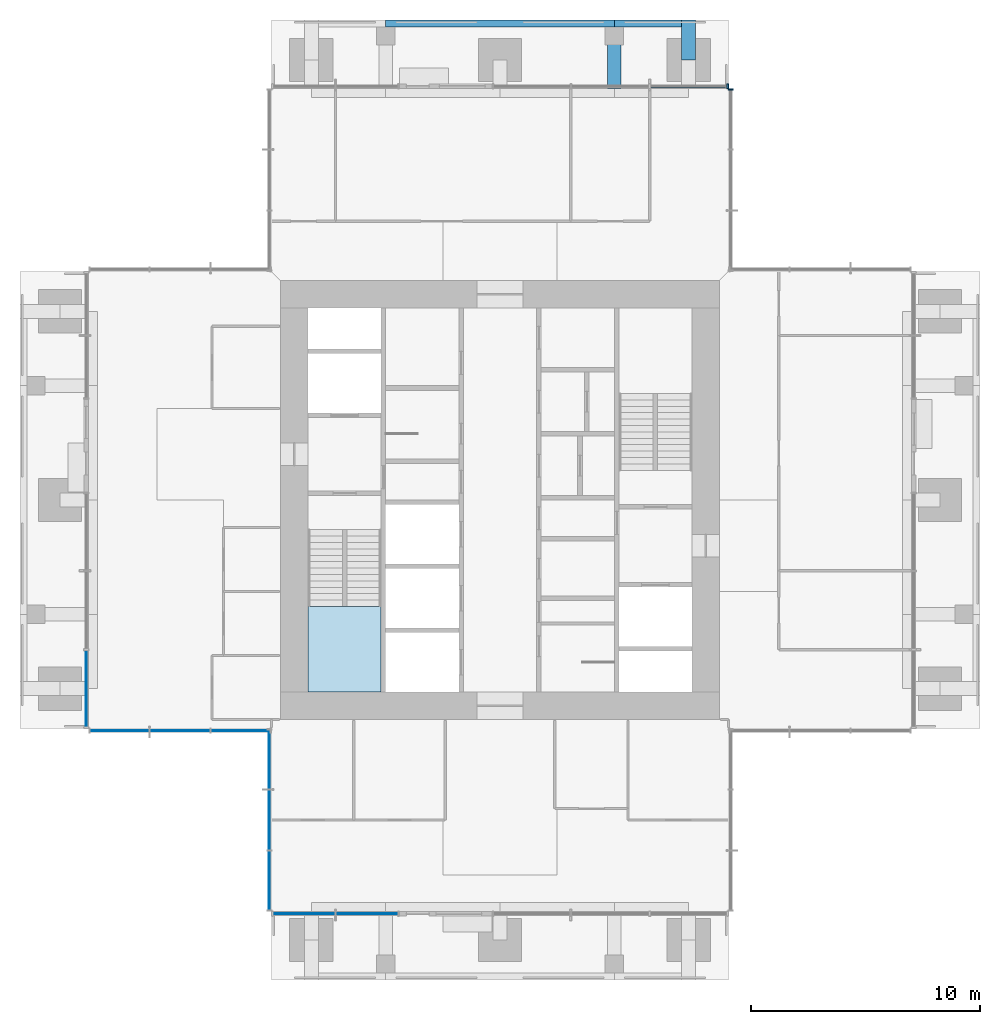
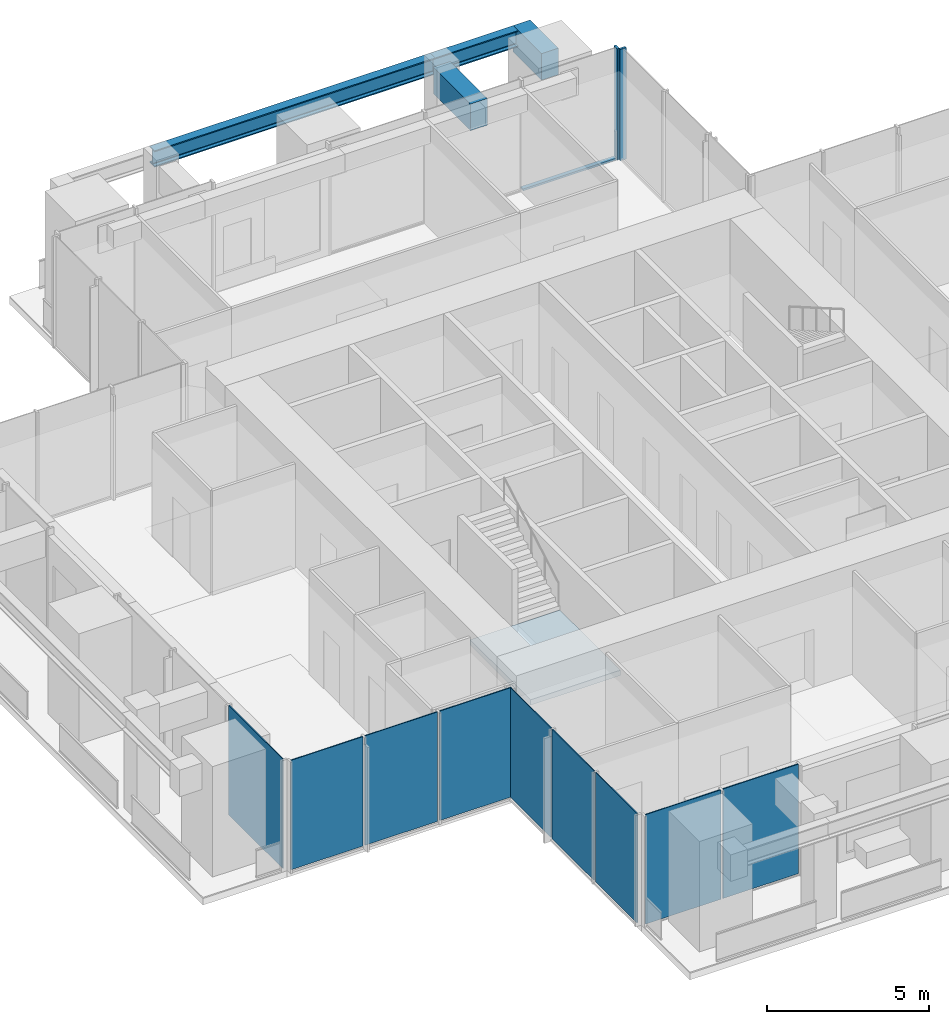
# One storey, part 5 of 12: 9 plates, 4 beams, 3 members, 1 slab, 7 elements without a shape of their own.
"""IFC4 building model written with IfcOpenShell, lengths in metres."""

from ifc_helpers import new_model, si_unit, direction, frame, origin, origin_2d, place, context, subcontext, project, spatial, polyline, rectangle, i_section, outline, extrude, material, layer, layer_set, material_profile, profile_set, type_object, element, aggregate, save


model = new_model("IFC4")

# Units and contexts
model_context = context("Model", 3, precision=1e-05, world=origin(), true_north=direction((0.0, 1.0)))
body_context = subcontext(model_context, "Body", "Model", "MODEL_VIEW")
ifc_project = project(units=[si_unit("LENGTHUNIT", "METRE"), si_unit("AREAUNIT", "SQUARE_METRE"), si_unit("VOLUMEUNIT", "CUBIC_METRE"), si_unit("PLANEANGLEUNIT", "RADIAN"), si_unit("MASSUNIT", "GRAM", prefix="KILO")], contexts=[model_context])

# Site, building, storey
site_placement = place(None, origin())
site = spatial("IfcSite", under=ifc_project, at=site_placement, CompositionType="ELEMENT")
building_placement = place(site_placement, origin())
building = spatial("IfcBuilding", under=site, at=building_placement, Name="Svetlomir Tower", CompositionType="ELEMENT")
storey_placement = place(building_placement, frame((0.0, 0.0, 256.60009765625)))
storey = spatial("IfcBuildingStorey", under=building, at=storey_placement, Name="L61", CompositionType="ELEMENT", Elevation=256.60009765625)

# Curtain wall, member
ifc_material_1 = material(Name="Bronze anodised aluminium curtain wall", Category="aluminium")
curtain_wall_type = type_object("IfcCurtainWallType", Name="CURTAIN WALL CW4 EXECUTIVE", PredefinedType="NOTDEFINED", material=ifc_material_1)
curtain_wall_1_placement = place(storey_placement, origin())
curtain_wall_1 = element("IfcCurtainWall", 1, at=curtain_wall_1_placement, inside=storey, type_object=curtain_wall_type, Name="Curtain wall CW4 L61", PredefinedType="NOTDEFINED")
ifc_material_2 = material(Name="Bronze anodised aluminium", Category="aluminium")
ifc_material_profile_1 = material_profile(ifc_material_2, rectangle(XDim=0.074951171875, YDim=0.219970703125, at=origin_2d()), Name="AL 75x220")
ifc_profile_set_1 = profile_set([ifc_material_profile_1], Name="Bronze anodised aluminium 6063-T6")
member_type_1 = type_object("IfcMemberType", Name="CW4 MULLION 75x220", PredefinedType="MULLION", material=ifc_profile_set_1)
member_1_placement = place(storey_placement, frame((31.10009765625, 38.96240234375, 0.0), z_axis=(0.0, 0.0, 1.0), x_axis=(0.0, 1.0, 0.0)))
member_1 = element("IfcMember", 2, at=member_1_placement, type_object=member_type_1, Name="CW4 mullion 4", PredefinedType="MULLION", context=body_context, shape_type="SweptSolid", body=[
    extrude(rectangle(XDim=0.074951171875, YDim=0.219970703125, at=origin_2d()), origin(), (0.0, 0.0, 1.0), 4.199951171875),
])
aggregate(curtain_wall_1, [member_1])

# Curtain wall, members
curtain_wall_2_placement = place(storey_placement, origin())
curtain_wall_2 = element("IfcCurtainWall", 3, at=curtain_wall_2_placement, inside=storey, type_object=curtain_wall_type, Name="Curtain wall CW4 L61", PredefinedType="NOTDEFINED")
member_2_placement = place(storey_placement, frame((30.96240234375, 39.10009765625, 0.0), z_axis=(0.0, 0.0, 1.0), x_axis=(-1.0, 0.0, 0.0)))
member_2 = element("IfcMember", 4, at=member_2_placement, type_object=member_type_1, Name="CW4 mullion 1", PredefinedType="MULLION", context=body_context, shape_type="SweptSolid", body=[
    extrude(rectangle(XDim=0.074951171875, YDim=0.219970703125, at=origin_2d()), origin(), (0.0, 0.0, 1.0), 4.199951171875),
])
ifc_material_3 = material(Name="Bronze anodised aluminium", Category="aluminium")
ifc_material_profile_2 = material_profile(ifc_material_3, rectangle(XDim=0.14990234375, YDim=0.074951171875, at=origin_2d()), Name="AL 150x75")
ifc_profile_set_2 = profile_set([ifc_material_profile_2], Name="Bronze anodised aluminium 6063-T6")
member_type_2 = type_object("IfcMemberType", Name="CW4 TRANSOM 75x150", PredefinedType="USERDEFINED", material=ifc_profile_set_2)
member_3_placement = place(storey_placement, frame((30.925048828125, 39.10009765625, 0.037353515625), z_axis=(-1.0, 0.0, 0.0), x_axis=(0.0, -1.0, 0.0)))
member_3 = element("IfcMember", 5, at=member_3_placement, type_object=member_type_2, Name="CW4 transom 1.1", ObjectType="TRANSOM", PredefinedType="USERDEFINED", context=body_context, shape_type="SweptSolid", body=[
    extrude(rectangle(XDim=0.14990234375, YDim=0.074951171875, at=origin_2d()), origin(), (0.0, 0.0, 1.0), 3.337646484375),
])
aggregate(curtain_wall_2, [member_2, member_3])

# Beams
ifc_material_4 = material(Name="Steel S355", Category="steel")
ifc_material_profile_3 = material_profile(ifc_material_4, i_section(OverallWidth=0.304931640625, OverallDepth=0.6201171875, WebThickness=0.02099609375, FlangeThickness=0.0400390625, FilletRadius=0.027099609375, at=origin_2d()), Name="HEM 600")
ifc_profile_set_3 = profile_set([ifc_material_profile_3], Name="Steel S355")
beam_type_1 = type_object("IfcBeamType", Name="EDGE BEAM HEM 600", PredefinedType="SPANDREL", material=ifc_profile_set_3)
beam_1_placement = place(storey_placement, frame((16.0, 41.847412109375, 3.639892578125), z_axis=(1.0, 0.0, 0.0), x_axis=(0.0, 1.0, 0.0)))
element("IfcBeam", 6, at=beam_1_placement, inside=storey, type_object=beam_type_1, Name="Edge beam 16/42 to 26/42 under L62", PredefinedType="SPANDREL", context=body_context, shape_type="SweptSolid", body=[
    extrude(i_section(OverallWidth=0.304931640625, OverallDepth=0.6201171875, WebThickness=0.02099609375, FlangeThickness=0.0400390625, FilletRadius=0.027099609375, at=origin_2d()), origin(), (0.0, 0.0, 1.0), 10.0),
])
beam_2_placement = place(storey_placement, frame((26.0, 41.847412109375, 3.639892578125), z_axis=(1.0, 0.0, 0.0), x_axis=(0.0, 1.0, 0.0)))
element("IfcBeam", 7, at=beam_2_placement, inside=storey, type_object=beam_type_1, Name="Edge beam 26/42 to 31/42 under L62", PredefinedType="SPANDREL", context=body_context, shape_type="SweptSolid", body=[
    extrude(i_section(OverallWidth=0.304931640625, OverallDepth=0.6201171875, WebThickness=0.02099609375, FlangeThickness=0.0400390625, FilletRadius=0.027099609375, at=origin_2d()), origin(), (0.0, 0.0, 1.0), 2.949951171875),
])
ifc_material_5 = material(Name="Concrete C60/75", Category="concrete")
ifc_material_profile_4 = material_profile(ifc_material_5, rectangle(XDim=0.60009765625, YDim=1.0, at=origin_2d()), Name="RC 600x1000")
ifc_profile_set_4 = profile_set([ifc_material_profile_4], Name="Concrete C60/75")
beam_type_2 = type_object("IfcBeamType", Name="EDGE LINK BEAM RC 600x1000", PredefinedType="BEAM", material=ifc_profile_set_4)
beam_3_placement = place(storey_placement, frame((29.25, 40.25, 3.449951171875), z_axis=(0.0, 1.0, 0.0), x_axis=(-1.0, 0.0, 0.0)))
element("IfcBeam", 8, at=beam_3_placement, inside=storey, type_object=beam_type_2, Name="Edge link beam N 31/42 under L62", PredefinedType="BEAM", context=body_context, shape_type="SweptSolid", body=[
    extrude(rectangle(XDim=0.60009765625, YDim=1.0, at=origin_2d()), origin(), (0.0, 0.0, 1.0), 1.75),
])
ifc_material_6 = material(Name="Concrete C60/75", Category="concrete")
ifc_material_profile_5 = material_profile(ifc_material_6, rectangle(XDim=0.60009765625, YDim=1.0, at=origin_2d()), Name="RC 600x1000")
ifc_profile_set_5 = profile_set([ifc_material_profile_5], Name="Concrete C60/75")
beam_type_3 = type_object("IfcBeamType", Name="LOGGIA LINK BEAM RC 600x1000", PredefinedType="BEAM", material=ifc_profile_set_5)
beam_4_placement = place(storey_placement, frame((26.0, 41.300048828125, 3.449951171875), z_axis=(0.0, -1.0, 0.0), x_axis=(1.0, 0.0, 0.0)))
element("IfcBeam", 9, at=beam_4_placement, inside=storey, type_object=beam_type_3, Name="Loggia link beam N 26 under L62", PredefinedType="BEAM", context=body_context, shape_type="SweptSolid", body=[
    extrude(rectangle(XDim=0.60009765625, YDim=1.0, at=origin_2d()), origin(), (0.0, 0.0, 1.0), 2.300048828125),
])

# Curtain wall, plates
curtain_wall_3_placement = place(storey_placement, origin())
curtain_wall_3 = element("IfcCurtainWall", 10, at=curtain_wall_3_placement, inside=storey, type_object=curtain_wall_type, Name="Curtain wall CW4 L61", PredefinedType="NOTDEFINED")
ifc_material_7 = material(Name="Tinted double glazed unit", Category="glass")
ifc_layer_1 = layer(ifc_material_7, 0.035888671875)
ifc_layer_set_1 = layer_set([ifc_layer_1], Name="Tinted double glazed unit")
plate_type = type_object("IfcPlateType", Name="CW4 GLAZED PANEL 36", PredefinedType="CURTAIN_PANEL", material=ifc_layer_set_1)
plate_1_placement = place(storey_placement, frame((12.418701171875, 2.89990234375, 0.074951171875), z_axis=(0.0, 0.0, 1.0), x_axis=(1.0, 0.0, 0.0)))
plate_1 = element("IfcPlate", 11, at=plate_1_placement, type_object=plate_type, Name="CW4 panel 1.1", PredefinedType="CURTAIN_PANEL", context=body_context, shape_type="SweptSolid", body=[
    extrude(rectangle(XDim=2.6875, YDim=0.035888671875, at=origin_2d()), origin(), (0.0, 0.0, 1.0), 4.125),
])
plate_2_placement = place(storey_placement, frame((15.18115234375, 2.89990234375, 0.074951171875), z_axis=(0.0, 0.0, 1.0), x_axis=(1.0, 0.0, 0.0)))
plate_2 = element("IfcPlate", 12, at=plate_2_placement, type_object=plate_type, Name="CW4 panel 2.1", PredefinedType="CURTAIN_PANEL", context=body_context, shape_type="SweptSolid", body=[
    extrude(rectangle(XDim=2.6875, YDim=0.035888671875, at=origin_2d()), origin(), (0.0, 0.0, 1.0), 4.125),
])
aggregate(curtain_wall_3, [plate_1, plate_2])

# Curtain wall, plate
curtain_wall_4_placement = place(storey_placement, origin())
curtain_wall_4 = element("IfcCurtainWall", 13, at=curtain_wall_4_placement, inside=storey, type_object=curtain_wall_type, Name="Curtain wall CW4 L61", PredefinedType="NOTDEFINED")
plate_3_placement = place(storey_placement, frame((2.89990234375, 12.74365234375, 0.074951171875), z_axis=(0.0, 0.0, 1.0), x_axis=(0.0, -1.0, 0.0)))
plate_3 = element("IfcPlate", 14, at=plate_3_placement, type_object=plate_type, Name="CW4 panel 3.1", PredefinedType="CURTAIN_PANEL", context=body_context, shape_type="SweptSolid", body=[
    extrude(rectangle(XDim=3.33740234375, YDim=0.035888671875, at=origin_2d()), origin(), (0.0, 0.0, 1.0), 4.125),
])
aggregate(curtain_wall_4, [plate_3])

# Curtain wall, plates
curtain_wall_5_placement = place(storey_placement, origin())
curtain_wall_5 = element("IfcCurtainWall", 15, at=curtain_wall_5_placement, inside=storey, type_object=curtain_wall_type, Name="Curtain wall CW4 L61", PredefinedType="NOTDEFINED")
plate_4_placement = place(storey_placement, frame((4.35205078125, 10.89990234375, 0.074951171875), z_axis=(0.0, 0.0, 1.0), x_axis=(1.0, 0.0, 0.0)))
plate_4 = element("IfcPlate", 16, at=plate_4_placement, type_object=plate_type, Name="CW4 panel 1.1", PredefinedType="CURTAIN_PANEL", context=body_context, shape_type="SweptSolid", body=[
    extrude(rectangle(XDim=2.55419921875, YDim=0.035888671875, at=origin_2d()), origin(), (0.0, 0.0, 1.0), 4.125),
])
plate_5_placement = place(storey_placement, frame((7.0, 10.89990234375, 0.074951171875), z_axis=(0.0, 0.0, 1.0), x_axis=(1.0, 0.0, 0.0)))
plate_5 = element("IfcPlate", 17, at=plate_5_placement, type_object=plate_type, Name="CW4 panel 2.1", PredefinedType="CURTAIN_PANEL", context=body_context, shape_type="SweptSolid", body=[
    extrude(rectangle(XDim=2.591552734375, YDim=0.035888671875, at=origin_2d()), origin(), (0.0, 0.0, 1.0), 4.125),
])
plate_6_placement = place(storey_placement, frame((9.64794921875, 10.89990234375, 0.074951171875), z_axis=(0.0, 0.0, 1.0), x_axis=(1.0, 0.0, 0.0)))
plate_6 = element("IfcPlate", 18, at=plate_6_placement, type_object=plate_type, Name="CW4 panel 3.1", PredefinedType="CURTAIN_PANEL", context=body_context, shape_type="SweptSolid", body=[
    extrude(rectangle(XDim=2.55419921875, YDim=0.035888671875, at=origin_2d()), origin(), (0.0, 0.0, 1.0), 4.125),
])
aggregate(curtain_wall_5, [plate_4, plate_5, plate_6])

curtain_wall_6_placement = place(storey_placement, origin())
curtain_wall_6 = element("IfcCurtainWall", 19, at=curtain_wall_6_placement, inside=storey, type_object=curtain_wall_type, Name="Curtain wall CW4 L61", PredefinedType="NOTDEFINED")
plate_7_placement = place(storey_placement, frame((10.89990234375, 9.64794921875, 0.074951171875), z_axis=(0.0, 0.0, 1.0), x_axis=(0.0, -1.0, 0.0)))
plate_7 = element("IfcPlate", 20, at=plate_7_placement, type_object=plate_type, Name="CW4 panel 1.1", PredefinedType="CURTAIN_PANEL", context=body_context, shape_type="SweptSolid", body=[
    extrude(rectangle(XDim=2.55419921875, YDim=0.035888671875, at=origin_2d()), origin(), (0.0, 0.0, 1.0), 4.125),
])
plate_8_placement = place(storey_placement, frame((10.89990234375, 7.0, 0.074951171875), z_axis=(0.0, 0.0, 1.0), x_axis=(0.0, -1.0, 0.0)))
plate_8 = element("IfcPlate", 21, at=plate_8_placement, type_object=plate_type, Name="CW4 panel 2.1", PredefinedType="CURTAIN_PANEL", context=body_context, shape_type="SweptSolid", body=[
    extrude(rectangle(XDim=2.591552734375, YDim=0.035888671875, at=origin_2d()), origin(), (0.0, 0.0, 1.0), 4.125),
])
plate_9_placement = place(storey_placement, frame((10.89990234375, 4.35205078125, 0.074951171875), z_axis=(0.0, 0.0, 1.0), x_axis=(0.0, -1.0, 0.0)))
plate_9 = element("IfcPlate", 22, at=plate_9_placement, type_object=plate_type, Name="CW4 panel 3.1", PredefinedType="CURTAIN_PANEL", context=body_context, shape_type="SweptSolid", body=[
    extrude(rectangle(XDim=2.55419921875, YDim=0.035888671875, at=origin_2d()), origin(), (0.0, 0.0, 1.0), 4.125),
])
aggregate(curtain_wall_6, [plate_7, plate_8, plate_9])

# Stair, slab
ifc_material_8 = material(Name="Concrete C60/75", Category="concrete")
stair_type = type_object("IfcStairType", Name="EXIT STAIR 3200 RISE 4200", PredefinedType="HALF_TURN_STAIR", material=ifc_material_8)
stair_placement = place(storey_placement, origin())
stair = element("IfcStair", 23, at=stair_placement, inside=storey, type_object=stair_type, Name="Stair S1 L61 to L62", PredefinedType="HALF_TURN_STAIR")
ifc_material_9 = material(Name="Concrete C60/75", Category="concrete")
ifc_layer_2 = layer(ifc_material_9, 0.199951171875)
ifc_layer_set_2 = layer_set([ifc_layer_2], Name="Concrete C60/75")
slab_type = type_object("IfcSlabType", Name="STAIR LANDING 200", PredefinedType="LANDING", material=ifc_layer_set_2)
slab_placement = place(storey_placement, frame((0.0, 0.0, 1.89990234375)))
slab = element("IfcSlab", 24, at=slab_placement, type_object=slab_type, Name="S1 landing 1", PredefinedType="LANDING", context=body_context, shape_type="SweptSolid", body=[
    extrude(outline(polyline([(12.60009765625, 12.60009765625), (15.800048828125, 12.60009765625), (15.800048828125, 16.340087890625), (12.60009765625, 16.340087890625), (12.60009765625, 12.60009765625)])), origin(), (0.0, 0.0, 1.0), 0.199951171875),
])
aggregate(stair, [slab])

save(model, "model.ifc")
